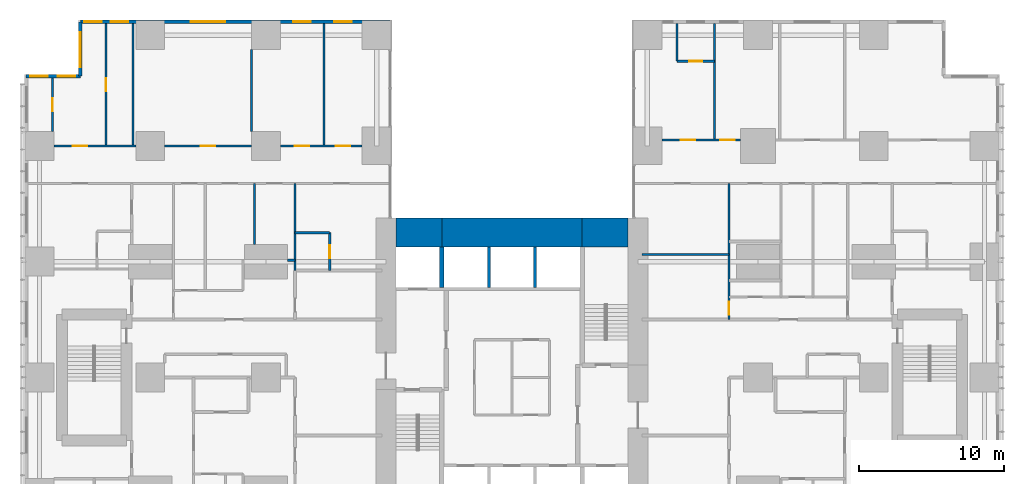
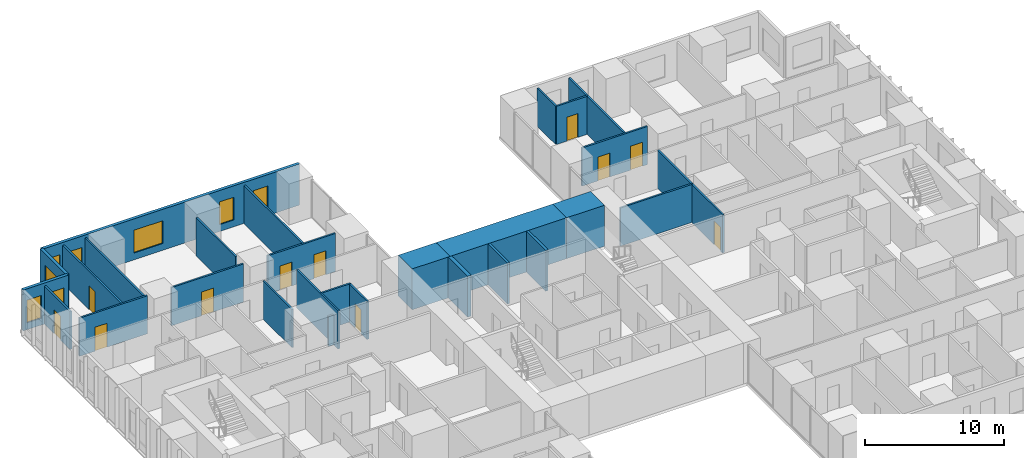
# One storey, part 17 of 20: 28 walls, 11 doors, 8 windows, 19 openings.
"""IFC4 building model written with IfcOpenShell, lengths in metres."""

from ifc_helpers import new_model, si_unit, direction, frame, frame_2d, origin, place, context, subcontext, project, spatial, rectangle, extrude, material, layer, layer_set, type_object, element, fill, save


model = new_model("IFC4")

# Units and contexts
model_context = context("Model", 3, precision=1e-05, world=origin(), true_north=direction((0.0, 1.0)))
body_context = subcontext(model_context, "Body", "Model", "MODEL_VIEW")
ifc_project = project(units=[si_unit("LENGTHUNIT", "METRE"), si_unit("AREAUNIT", "SQUARE_METRE"), si_unit("VOLUMEUNIT", "CUBIC_METRE"), si_unit("PLANEANGLEUNIT", "RADIAN"), si_unit("MASSUNIT", "GRAM", prefix="KILO")], contexts=[model_context])

# Site, building, storey
site_placement = place(None, origin())
site = spatial("IfcSite", under=ifc_project, at=site_placement, CompositionType="ELEMENT")
building_placement = place(site_placement, origin())
building = spatial("IfcBuilding", under=site, at=building_placement, Name="Cleftline Residences", CompositionType="ELEMENT")
storey_placement = place(building_placement, frame((0.0, 0.0, 72.800048828125)))
storey = spatial("IfcBuildingStorey", under=building, at=storey_placement, Name="L18", CompositionType="ELEMENT", Elevation=72.800048828125)

# Walls
ifc_material_1 = material(Name="Concrete B70", Category="concrete")
ifc_layer_1 = layer(ifc_material_1, 2.0)
ifc_layer_set_1 = layer_set([ifc_layer_1], Name="CORE WALL 2000")
wall_type_1 = type_object("IfcWallType", Name="CORE WALL 2000", PredefinedType="SHEAR", material=ifc_layer_set_1)
wall_1_placement = place(storey_placement, frame((25.0, 34.0, 0.0), z_axis=(0.0, 0.0, 1.0), x_axis=(1.0, 0.0, 0.0)))
element("IfcWall", 1, at=wall_1_placement, inside=storey, type_object=wall_type_1, Name="Core wall N1", PredefinedType="SHEAR", context=body_context, shape_type="SweptSolid", body=[
    extrude(rectangle(XDim=3.14990234375, YDim=2.0, at=frame_2d((1.574951171875, 0.0))), origin(), (0.0, 0.0, 1.0), 3.599853515625),
])
wall_2_placement = place(storey_placement, frame((28.14990234375, 34.0, 0.0), z_axis=(0.0, 0.0, 1.0), x_axis=(1.0, 0.0, 0.0)))
element("IfcWall", 2, at=wall_2_placement, inside=storey, type_object=wall_type_1, Name="Core wall N2", PredefinedType="SHEAR", context=body_context, shape_type="SweptSolid", body=[
    extrude(rectangle(XDim=9.7001953125, YDim=2.0, at=frame_2d((4.85009765625, 0.0))), origin(), (0.0, 0.0, 1.0), 3.599853515625),
])
wall_3_placement = place(storey_placement, frame((37.85009765625, 34.0, 0.0), z_axis=(0.0, 0.0, 1.0), x_axis=(1.0, 0.0, 0.0)))
element("IfcWall", 3, at=wall_3_placement, inside=storey, type_object=wall_type_1, Name="Core wall N3", PredefinedType="SHEAR", context=body_context, shape_type="SweptSolid", body=[
    extrude(rectangle(XDim=3.14990234375, YDim=2.0, at=frame_2d((1.574951171875, 0.0))), origin(), (0.0, 0.0, 1.0), 3.599853515625),
])
ifc_material_2 = material(Name="Concrete B70", Category="concrete")
ifc_layer_2 = layer(ifc_material_2, 0.300048828125)
ifc_layer_set_2 = layer_set([ifc_layer_2], Name="CORE WALL 300")
wall_type_2 = type_object("IfcWallType", Name="CORE WALL 300", PredefinedType="SHEAR", material=ifc_layer_set_2)
wall_4_placement = place(storey_placement, frame((28.14990234375, 30.199951171875, 0.0), z_axis=(0.0, 0.0, 1.0), x_axis=(0.0, 1.0, 0.0)))
element("IfcWall", 4, at=wall_4_placement, inside=storey, type_object=wall_type_2, Name="Lift shaft wall", PredefinedType="SHEAR", context=body_context, shape_type="SweptSolid", body=[
    extrude(rectangle(XDim=2.800048828125, YDim=0.300048828125, at=frame_2d((1.39990234375, 0.0))), origin(), (0.0, 0.0, 1.0), 3.599853515625),
])

# Wall, openings, windows
ifc_material_3 = material(Name="Rendered reinforced concrete blockwork", Category="masonry")
ifc_layer_3 = layer(ifc_material_3, 0.25)
ifc_layer_set_3 = layer_set([ifc_layer_3], Name="EXTERNAL WALL 250")
wall_type_3 = type_object("IfcWallType", Name="EXTERNAL WALL 250", PredefinedType="SOLIDWALL", material=ifc_layer_set_3)
wall_5_placement = place(storey_placement, frame((24.574951171875, 48.574951171875, 0.0), z_axis=(0.0, 0.0, 1.0), x_axis=(-1.0, 0.0, 0.0)))
wall_5 = element("IfcWall", 5, at=wall_5_placement, inside=storey, type_object=wall_type_3, Name="External wall", PredefinedType="SOLIDWALL", context=body_context, shape_type="SweptSolid", body=[
    extrude(rectangle(XDim=21.39990234375, YDim=0.25, at=frame_2d((10.699951171875, 0.0))), origin(), (0.0, 0.0, 1.0), 3.599853515625),
])
opening_1_placement = place(wall_5_placement, frame((2.64990234375, 0.0, 0.60009765625)))
opening_1 = element("IfcOpeningElement", 6, at=opening_1_placement, cuts=wall_5, Name="Opening W8", PredefinedType="OPENING", context=body_context, shape_type="SweptSolid", body=[
    extrude(rectangle(XDim=1.199951171875, YDim=2.0, at=frame_2d((0.60009765625, 1.0))), frame((0.0, 0.135009765625, 0.0), z_axis=(0.0, -1.0, 0.0), x_axis=(1.0, 0.0, 0.0)), (0.0, 0.0, 1.0), 0.27001953125),
])
opening_2_placement = place(wall_5_placement, frame((5.47509765625, 0.0, 0.60009765625)))
opening_2 = element("IfcOpeningElement", 7, at=opening_2_placement, cuts=wall_5, Name="Opening W8", PredefinedType="OPENING", context=body_context, shape_type="SweptSolid", body=[
    extrude(rectangle(XDim=1.199951171875, YDim=2.0, at=frame_2d((0.60009765625, 1.0))), frame((0.0, 0.135009765625, 0.0), z_axis=(0.0, -1.0, 0.0), x_axis=(1.0, 0.0, 0.0)), (0.0, 0.0, 1.0), 0.27001953125),
])
opening_3_placement = place(wall_5_placement, frame((11.375, 0.0, 0.60009765625)))
opening_3 = element("IfcOpeningElement", 8, at=opening_3_placement, cuts=wall_5, Name="Opening W6", PredefinedType="OPENING", context=body_context, shape_type="SweptSolid", body=[
    extrude(rectangle(XDim=2.39990234375, YDim=2.0, at=frame_2d((1.199951171875, 1.0))), frame((0.0, 0.135009765625, 0.0), z_axis=(0.0, -1.0, 0.0), x_axis=(1.0, 0.0, 0.0)), (0.0, 0.0, 1.0), 0.27001953125),
])
opening_4_placement = place(wall_5_placement, frame((18.10009765625, 0.0, 0.60009765625)))
opening_4 = element("IfcOpeningElement", 9, at=opening_4_placement, cuts=wall_5, Name="Opening W8", PredefinedType="OPENING", context=body_context, shape_type="SweptSolid", body=[
    extrude(rectangle(XDim=1.199951171875, YDim=2.0, at=frame_2d((0.60009765625, 1.0))), frame((0.0, 0.135009765625, 0.0), z_axis=(0.0, -1.0, 0.0), x_axis=(1.0, 0.0, 0.0)), (0.0, 0.0, 1.0), 0.27001953125),
])
opening_5_placement = place(wall_5_placement, frame((19.925048828125, 0.0, 0.60009765625)))
opening_5 = element("IfcOpeningElement", 10, at=opening_5_placement, cuts=wall_5, Name="Opening W8", PredefinedType="OPENING", context=body_context, shape_type="SweptSolid", body=[
    extrude(rectangle(XDim=1.199951171875, YDim=2.0, at=frame_2d((0.60009765625, 1.0))), frame((0.0, 0.135009765625, 0.0), z_axis=(0.0, -1.0, 0.0), x_axis=(1.0, 0.0, 0.0)), (0.0, 0.0, 1.0), 0.27001953125),
])
ifc_material_4 = material(Name="Aluminium frame, clear double glazing", Category="aluminium")
window_type_1 = type_object("IfcWindowType", Name="WINDOW 1200X2000", PartitioningType="DOUBLE_PANEL_VERTICAL", PredefinedType="WINDOW", material=ifc_material_4)
window_1_placement = place(opening_1_placement, origin())
window_1 = element("IfcWindow", 11, at=window_1_placement, inside=storey, type_object=window_type_1, Name="Window", OverallHeight=2.0, OverallWidth=1.199951171875, PartitioningType="SINGLE_PANEL", PredefinedType="WINDOW", context=body_context, shape_type="SweptSolid", body=[
    extrude(rectangle(XDim=1.199951171875, YDim=2.0, at=frame_2d((0.60009765625, 1.0))), frame((0.0, 0.030029296875, 0.0), z_axis=(0.0, -1.0, 0.0), x_axis=(1.0, 0.0, 0.0)), (0.0, 0.0, 1.0), 0.06005859375),
])
fill(opening_1, window_1)
window_2_placement = place(opening_2_placement, origin())
window_2 = element("IfcWindow", 12, at=window_2_placement, inside=storey, type_object=window_type_1, Name="Window", OverallHeight=2.0, OverallWidth=1.199951171875, PartitioningType="SINGLE_PANEL", PredefinedType="WINDOW", context=body_context, shape_type="SweptSolid", body=[
    extrude(rectangle(XDim=1.199951171875, YDim=2.0, at=frame_2d((0.60009765625, 1.0))), frame((0.0, 0.030029296875, 0.0), z_axis=(0.0, -1.0, 0.0), x_axis=(1.0, 0.0, 0.0)), (0.0, 0.0, 1.0), 0.06005859375),
])
fill(opening_2, window_2)
window_3_placement = place(opening_4_placement, origin())
window_3 = element("IfcWindow", 13, at=window_3_placement, inside=storey, type_object=window_type_1, Name="Window", OverallHeight=2.0, OverallWidth=1.199951171875, PartitioningType="SINGLE_PANEL", PredefinedType="WINDOW", context=body_context, shape_type="SweptSolid", body=[
    extrude(rectangle(XDim=1.199951171875, YDim=2.0, at=frame_2d((0.60009765625, 1.0))), frame((0.0, 0.030029296875, 0.0), z_axis=(0.0, -1.0, 0.0), x_axis=(1.0, 0.0, 0.0)), (0.0, 0.0, 1.0), 0.06005859375),
])
fill(opening_4, window_3)
window_4_placement = place(opening_5_placement, origin())
window_4 = element("IfcWindow", 14, at=window_4_placement, inside=storey, type_object=window_type_1, Name="Window", OverallHeight=2.0, OverallWidth=1.199951171875, PartitioningType="SINGLE_PANEL", PredefinedType="WINDOW", context=body_context, shape_type="SweptSolid", body=[
    extrude(rectangle(XDim=1.199951171875, YDim=2.0, at=frame_2d((0.60009765625, 1.0))), frame((0.0, 0.030029296875, 0.0), z_axis=(0.0, -1.0, 0.0), x_axis=(1.0, 0.0, 0.0)), (0.0, 0.0, 1.0), 0.06005859375),
])
fill(opening_5, window_4)
ifc_material_5 = material(Name="Aluminium frame, clear double glazing", Category="aluminium")
window_type_2 = type_object("IfcWindowType", Name="WINDOW 2400X2000", PartitioningType="DOUBLE_PANEL_VERTICAL", PredefinedType="WINDOW", material=ifc_material_5)
window_5_placement = place(opening_3_placement, origin())
window_5 = element("IfcWindow", 15, at=window_5_placement, inside=storey, type_object=window_type_2, Name="Window", OverallHeight=2.0, OverallWidth=2.39990234375, PartitioningType="SINGLE_PANEL", PredefinedType="WINDOW", context=body_context, shape_type="SweptSolid", body=[
    extrude(rectangle(XDim=2.39990234375, YDim=2.0, at=frame_2d((1.199951171875, 1.0))), frame((0.0, 0.030029296875, 0.0), z_axis=(0.0, -1.0, 0.0), x_axis=(1.0, 0.0, 0.0)), (0.0, 0.0, 1.0), 0.06005859375),
])
fill(opening_3, window_5)

# Wall, opening, window
wall_6_placement = place(storey_placement, frame((3.175048828125, 48.574951171875, 0.0), z_axis=(0.0, 0.0, 1.0), x_axis=(0.0, -1.0, 0.0)))
wall_6 = element("IfcWall", 16, at=wall_6_placement, inside=storey, type_object=wall_type_3, Name="External wall", PredefinedType="SOLIDWALL", context=body_context, shape_type="SweptSolid", body=[
    extrude(rectangle(XDim=3.75, YDim=0.25, at=frame_2d((1.875, 0.0))), origin(), (0.0, 0.0, 1.0), 3.599853515625),
])
opening_6_placement = place(wall_6_placement, frame((0.737548828125, 0.0, 0.60009765625)))
opening_6 = element("IfcOpeningElement", 17, at=opening_6_placement, cuts=wall_6, Name="Opening W6", PredefinedType="OPENING", context=body_context, shape_type="SweptSolid", body=[
    extrude(rectangle(XDim=2.39990234375, YDim=2.0, at=frame_2d((1.199951171875, 1.0))), frame((0.0, 0.135009765625, 0.0), z_axis=(0.0, -1.0, 0.0), x_axis=(1.0, 0.0, 0.0)), (0.0, 0.0, 1.0), 0.27001953125),
])
window_6_placement = place(opening_6_placement, origin())
window_6 = element("IfcWindow", 18, at=window_6_placement, inside=storey, type_object=window_type_2, Name="Window", OverallHeight=2.0, OverallWidth=2.39990234375, PartitioningType="SINGLE_PANEL", PredefinedType="WINDOW", context=body_context, shape_type="SweptSolid", body=[
    extrude(rectangle(XDim=2.39990234375, YDim=2.0, at=frame_2d((1.199951171875, 1.0))), frame((0.0, 0.030029296875, 0.0), z_axis=(0.0, -1.0, 0.0), x_axis=(1.0, 0.0, 0.0)), (0.0, 0.0, 1.0), 0.06005859375),
])
fill(opening_6, window_6)

# Wall, openings, windows
wall_7_placement = place(storey_placement, frame((3.175048828125, 44.824951171875, 0.0), z_axis=(0.0, 0.0, 1.0), x_axis=(-1.0, 0.0, 0.0)))
wall_7 = element("IfcWall", 19, at=wall_7_placement, inside=storey, type_object=wall_type_3, Name="External wall", PredefinedType="SOLIDWALL", context=body_context, shape_type="SweptSolid", body=[
    extrude(rectangle(XDim=3.75, YDim=0.25, at=frame_2d((1.875, 0.0))), origin(), (0.0, 0.0, 1.0), 3.599853515625),
])
opening_7_placement = place(wall_7_placement, frame((0.362548828125, 0.0, 0.60009765625)))
opening_7 = element("IfcOpeningElement", 20, at=opening_7_placement, cuts=wall_7, Name="Opening W8", PredefinedType="OPENING", context=body_context, shape_type="SweptSolid", body=[
    extrude(rectangle(XDim=1.199951171875, YDim=2.0, at=frame_2d((0.60009765625, 1.0))), frame((0.0, 0.135009765625, 0.0), z_axis=(0.0, -1.0, 0.0), x_axis=(1.0, 0.0, 0.0)), (0.0, 0.0, 1.0), 0.27001953125),
])
opening_8_placement = place(wall_7_placement, frame((2.25, 0.0, 0.60009765625)))
opening_8 = element("IfcOpeningElement", 21, at=opening_8_placement, cuts=wall_7, Name="Opening W8", PredefinedType="OPENING", context=body_context, shape_type="SweptSolid", body=[
    extrude(rectangle(XDim=1.199951171875, YDim=2.0, at=frame_2d((0.60009765625, 1.0))), frame((0.0, 0.135009765625, 0.0), z_axis=(0.0, -1.0, 0.0), x_axis=(1.0, 0.0, 0.0)), (0.0, 0.0, 1.0), 0.27001953125),
])
window_7_placement = place(opening_7_placement, origin())
window_7 = element("IfcWindow", 22, at=window_7_placement, inside=storey, type_object=window_type_1, Name="Window", OverallHeight=2.0, OverallWidth=1.199951171875, PartitioningType="SINGLE_PANEL", PredefinedType="WINDOW", context=body_context, shape_type="SweptSolid", body=[
    extrude(rectangle(XDim=1.199951171875, YDim=2.0, at=frame_2d((0.60009765625, 1.0))), frame((0.0, 0.030029296875, 0.0), z_axis=(0.0, -1.0, 0.0), x_axis=(1.0, 0.0, 0.0)), (0.0, 0.0, 1.0), 0.06005859375),
])
fill(opening_7, window_7)
window_8_placement = place(opening_8_placement, origin())
window_8 = element("IfcWindow", 23, at=window_8_placement, inside=storey, type_object=window_type_1, Name="Window", OverallHeight=2.0, OverallWidth=1.199951171875, PartitioningType="SINGLE_PANEL", PredefinedType="WINDOW", context=body_context, shape_type="SweptSolid", body=[
    extrude(rectangle(XDim=1.199951171875, YDim=2.0, at=frame_2d((0.60009765625, 1.0))), frame((0.0, 0.030029296875, 0.0), z_axis=(0.0, -1.0, 0.0), x_axis=(1.0, 0.0, 0.0)), (0.0, 0.0, 1.0), 0.06005859375),
])
fill(opening_8, window_8)

# Walls
ifc_material_6 = material(Name="Gypsum board on steel studs", Category="steel")
ifc_layer_4 = layer(ifc_material_6, 0.14990234375)
ifc_layer_set_4 = layer_set([ifc_layer_4], Name="PARTITION 150")
wall_type_4 = type_object("IfcWallType", Name="PARTITION 150", PredefinedType="PARTITIONING", material=ifc_layer_set_4)
wall_8_placement = place(storey_placement, frame((17.5, 32.10009765625, 0.0), z_axis=(0.0, 0.0, 1.0), x_axis=(1.0, 0.0, 0.0)))
element("IfcWall", 24, at=wall_8_placement, inside=storey, type_object=wall_type_4, Name="Partition", PredefinedType="PARTITIONING", context=body_context, shape_type="SweptSolid", body=[
    extrude(rectangle(XDim=0.5, YDim=0.14990234375, at=frame_2d((0.25, 0.0))), origin(), (0.0, 0.0, 1.0), 2.634033203125),
])
wall_9_placement = place(storey_placement, frame((42.0, 32.5, 0.0), z_axis=(0.0, 0.0, 1.0), x_axis=(1.0, 0.0, 0.0)))
element("IfcWall", 25, at=wall_9_placement, inside=storey, type_object=wall_type_4, Name="Partition", PredefinedType="PARTITIONING", context=body_context, shape_type="SweptSolid", body=[
    extrude(rectangle(XDim=6.0, YDim=0.14990234375, at=frame_2d((3.0, 0.0))), origin(), (0.0, 0.0, 1.0), 3.349853515625),
])
wall_10_placement = place(storey_placement, frame((18.0, 34.0, 0.0), z_axis=(0.0, 0.0, 1.0), x_axis=(1.0, 0.0, 0.0)))
element("IfcWall", 26, at=wall_10_placement, inside=storey, type_object=wall_type_4, Name="Partition", PredefinedType="PARTITIONING", context=body_context, shape_type="SweptSolid", body=[
    extrude(rectangle(XDim=2.39990234375, YDim=0.14990234375, at=frame_2d((1.199951171875, 0.0))), origin(), (0.0, 0.0, 1.0), 3.349853515625),
])

# Wall, opening, door
wall_11_placement = place(storey_placement, frame((1.35009765625, 40.0, 0.0), z_axis=(0.0, 0.0, 1.0), x_axis=(1.0, 0.0, 0.0)))
wall_11 = element("IfcWall", 27, at=wall_11_placement, inside=storey, type_object=wall_type_4, Name="Partition", PredefinedType="PARTITIONING", context=body_context, shape_type="SweptSolid", body=[
    extrude(rectangle(XDim=5.64990234375, YDim=0.14990234375, at=frame_2d((2.824951171875, 0.0))), origin(), (0.0, 0.0, 1.0), 3.349853515625),
])
opening_9_placement = place(wall_11_placement, frame((1.300048828125, 0.0, 0.0)))
opening_9 = element("IfcOpeningElement", 28, at=opening_9_placement, cuts=wall_11, Name="Opening D2", PredefinedType="OPENING", context=body_context, shape_type="SweptSolid", body=[
    extrude(rectangle(XDim=1.0, YDim=2.10009765625, at=frame_2d((0.5, 1.050048828125))), frame((0.0, 0.0849609375, 0.0), z_axis=(0.0, -1.0, 0.0), x_axis=(1.0, 0.0, 0.0)), (0.0, 0.0, 1.0), 0.169921875),
])
ifc_material_7 = material(Name="Timber veneer on solid core", Category="wood")
door_type_1 = type_object("IfcDoorType", Name="DOOR 1000X2100", OperationType="SINGLE_SWING_LEFT", PredefinedType="DOOR", material=ifc_material_7)
door_1_placement = place(opening_9_placement, origin())
door_1 = element("IfcDoor", 29, at=door_1_placement, inside=storey, type_object=door_type_1, Name="Door to bedroom 2", OperationType="SINGLE_SWING_RIGHT", OverallHeight=2.10009765625, OverallWidth=1.0, PredefinedType="DOOR", context=body_context, shape_type="SweptSolid", body=[
    extrude(rectangle(XDim=1.0, YDim=2.10009765625, at=frame_2d((0.5, 1.050048828125))), frame((0.0, 0.02490234375, 0.0), z_axis=(0.0, -1.0, 0.0), x_axis=(1.0, 0.0, 0.0)), (0.0, 0.0, 1.0), 0.050048828125),
])
fill(opening_9, door_1)

wall_12_placement = place(storey_placement, frame((9.0, 40.0, 0.0), z_axis=(0.0, 0.0, 1.0), x_axis=(1.0, 0.0, 0.0)))
wall_12 = element("IfcWall", 30, at=wall_12_placement, inside=storey, type_object=wall_type_4, Name="Partition", PredefinedType="PARTITIONING", context=body_context, shape_type="SweptSolid", body=[
    extrude(rectangle(XDim=6.0, YDim=0.14990234375, at=frame_2d((3.0, 0.0))), origin(), (0.0, 0.0, 1.0), 3.349853515625),
])
opening_10_placement = place(wall_12_placement, frame((2.5, 0.0, 0.0)))
opening_10 = element("IfcOpeningElement", 31, at=opening_10_placement, cuts=wall_12, Name="Opening D2", PredefinedType="OPENING", context=body_context, shape_type="SweptSolid", body=[
    extrude(rectangle(XDim=1.0, YDim=2.10009765625, at=frame_2d((0.5, 1.050048828125))), frame((0.0, 0.0849609375, 0.0), z_axis=(0.0, -1.0, 0.0), x_axis=(1.0, 0.0, 0.0)), (0.0, 0.0, 1.0), 0.169921875),
])
door_2_placement = place(opening_10_placement, origin())
door_2 = element("IfcDoor", 32, at=door_2_placement, inside=storey, type_object=door_type_1, Name="Door to living room", OperationType="SINGLE_SWING_LEFT", OverallHeight=2.10009765625, OverallWidth=1.0, PredefinedType="DOOR", context=body_context, shape_type="SweptSolid", body=[
    extrude(rectangle(XDim=1.0, YDim=2.10009765625, at=frame_2d((0.5, 1.050048828125))), frame((0.0, 0.02490234375, 0.0), z_axis=(0.0, -1.0, 0.0), x_axis=(1.0, 0.0, 0.0)), (0.0, 0.0, 1.0), 0.050048828125),
])
fill(opening_10, door_2)

# Wall, openings, doors
wall_13_placement = place(storey_placement, frame((17.0, 40.0, 0.0), z_axis=(0.0, 0.0, 1.0), x_axis=(1.0, 0.0, 0.0)))
wall_13 = element("IfcWall", 33, at=wall_13_placement, inside=storey, type_object=wall_type_4, Name="Partition", PredefinedType="PARTITIONING", context=body_context, shape_type="SweptSolid", body=[
    extrude(rectangle(XDim=5.64990234375, YDim=0.14990234375, at=frame_2d((2.824951171875, 0.0))), origin(), (0.0, 0.0, 1.0), 3.349853515625),
])
opening_11_placement = place(wall_13_placement, frame((1.0, 0.0, 0.0)))
opening_11 = element("IfcOpeningElement", 34, at=opening_11_placement, cuts=wall_13, Name="Opening D2", PredefinedType="OPENING", context=body_context, shape_type="SweptSolid", body=[
    extrude(rectangle(XDim=1.0, YDim=2.10009765625, at=frame_2d((0.5, 1.050048828125))), frame((0.0, 0.0849609375, 0.0), z_axis=(0.0, -1.0, 0.0), x_axis=(1.0, 0.0, 0.0)), (0.0, 0.0, 1.0), 0.169921875),
])
opening_12_placement = place(wall_13_placement, frame((3.824951171875, 0.0, 0.0)))
opening_12 = element("IfcOpeningElement", 35, at=opening_12_placement, cuts=wall_13, Name="Opening D2", PredefinedType="OPENING", context=body_context, shape_type="SweptSolid", body=[
    extrude(rectangle(XDim=1.0, YDim=2.10009765625, at=frame_2d((0.5, 1.050048828125))), frame((0.0, 0.0849609375, 0.0), z_axis=(0.0, -1.0, 0.0), x_axis=(1.0, 0.0, 0.0)), (0.0, 0.0, 1.0), 0.169921875),
])
door_3_placement = place(opening_11_placement, origin())
door_3 = element("IfcDoor", 36, at=door_3_placement, inside=storey, type_object=door_type_1, Name="Door to dining room", OperationType="SINGLE_SWING_RIGHT", OverallHeight=2.10009765625, OverallWidth=1.0, PredefinedType="DOOR", context=body_context, shape_type="SweptSolid", body=[
    extrude(rectangle(XDim=1.0, YDim=2.10009765625, at=frame_2d((0.5, 1.050048828125))), frame((0.0, 0.02490234375, 0.0), z_axis=(0.0, -1.0, 0.0), x_axis=(1.0, 0.0, 0.0)), (0.0, 0.0, 1.0), 0.050048828125),
])
fill(opening_11, door_3)
door_4_placement = place(opening_12_placement, origin())
door_4 = element("IfcDoor", 37, at=door_4_placement, inside=storey, type_object=door_type_1, Name="Door to show kitchen", OperationType="SINGLE_SWING_LEFT", OverallHeight=2.10009765625, OverallWidth=1.0, PredefinedType="DOOR", context=body_context, shape_type="SweptSolid", body=[
    extrude(rectangle(XDim=1.0, YDim=2.10009765625, at=frame_2d((0.5, 1.050048828125))), frame((0.0, 0.02490234375, 0.0), z_axis=(0.0, -1.0, 0.0), x_axis=(1.0, 0.0, 0.0)), (0.0, 0.0, 1.0), 0.050048828125),
])
fill(opening_12, door_4)

wall_14_placement = place(storey_placement, frame((43.35009765625, 40.39990234375, 0.0), z_axis=(0.0, 0.0, 1.0), x_axis=(1.0, 0.0, 0.0)))
wall_14 = element("IfcWall", 38, at=wall_14_placement, inside=storey, type_object=wall_type_4, Name="Partition", PredefinedType="PARTITIONING", context=body_context, shape_type="SweptSolid", body=[
    extrude(rectangle(XDim=5.449951171875, YDim=0.14990234375, at=frame_2d((2.72509765625, 0.0))), origin(), (0.0, 0.0, 1.0), 3.349853515625),
])
opening_13_placement = place(wall_14_placement, frame((4.050048828125, 0.0, 0.0)))
opening_13 = element("IfcOpeningElement", 39, at=opening_13_placement, cuts=wall_14, Name="Opening D2", PredefinedType="OPENING", context=body_context, shape_type="SweptSolid", body=[
    extrude(rectangle(XDim=1.0, YDim=2.10009765625, at=frame_2d((0.5, 1.050048828125))), frame((0.0, 0.0849609375, 0.0), z_axis=(0.0, -1.0, 0.0), x_axis=(1.0, 0.0, 0.0)), (0.0, 0.0, 1.0), 0.169921875),
])
opening_14_placement = place(wall_14_placement, frame((1.324951171875, 0.0, 0.0)))
opening_14 = element("IfcOpeningElement", 40, at=opening_14_placement, cuts=wall_14, Name="Opening D2", PredefinedType="OPENING", context=body_context, shape_type="SweptSolid", body=[
    extrude(rectangle(XDim=1.0, YDim=2.10009765625, at=frame_2d((0.5, 1.050048828125))), frame((0.0, 0.0849609375, 0.0), z_axis=(0.0, -1.0, 0.0), x_axis=(1.0, 0.0, 0.0)), (0.0, 0.0, 1.0), 0.169921875),
])
door_5_placement = place(opening_13_placement, origin())
door_5 = element("IfcDoor", 41, at=door_5_placement, inside=storey, type_object=door_type_1, Name="Door to show kitchen", OperationType="SINGLE_SWING_LEFT", OverallHeight=2.10009765625, OverallWidth=1.0, PredefinedType="DOOR", context=body_context, shape_type="SweptSolid", body=[
    extrude(rectangle(XDim=1.0, YDim=2.10009765625, at=frame_2d((0.5, 1.050048828125))), frame((0.0, 0.02490234375, 0.0), z_axis=(0.0, -1.0, 0.0), x_axis=(1.0, 0.0, 0.0)), (0.0, 0.0, 1.0), 0.050048828125),
])
fill(opening_13, door_5)
door_6_placement = place(opening_14_placement, origin())
door_6 = element("IfcDoor", 42, at=door_6_placement, inside=storey, type_object=door_type_1, Name="Door to bedroom 3", OperationType="SINGLE_SWING_RIGHT", OverallHeight=2.10009765625, OverallWidth=1.0, PredefinedType="DOOR", context=body_context, shape_type="SweptSolid", body=[
    extrude(rectangle(XDim=1.0, YDim=2.10009765625, at=frame_2d((0.5, 1.050048828125))), frame((0.0, 0.02490234375, 0.0), z_axis=(0.0, -1.0, 0.0), x_axis=(1.0, 0.0, 0.0)), (0.0, 0.0, 1.0), 0.050048828125),
])
fill(opening_14, door_6)

# Wall, opening, door
wall_15_placement = place(storey_placement, frame((44.39990234375, 45.85009765625, 0.0), z_axis=(0.0, 0.0, 1.0), x_axis=(1.0, 0.0, 0.0)))
wall_15 = element("IfcWall", 43, at=wall_15_placement, inside=storey, type_object=wall_type_4, Name="Partition", PredefinedType="PARTITIONING", context=body_context, shape_type="SweptSolid", body=[
    extrude(rectangle(XDim=2.60009765625, YDim=0.14990234375, at=frame_2d((1.300048828125, 0.0))), origin(), (0.0, 0.0, 1.0), 3.349853515625),
])
opening_15_placement = place(wall_15_placement, frame((0.85009765625, 0.0, 0.0)))
opening_15 = element("IfcOpeningElement", 44, at=opening_15_placement, cuts=wall_15, Name="Opening D1", PredefinedType="OPENING", context=body_context, shape_type="SweptSolid", body=[
    extrude(rectangle(XDim=0.89990234375, YDim=2.10009765625, at=frame_2d((0.449951171875, 1.050048828125))), frame((0.0, 0.0849609375, 0.0), z_axis=(0.0, -1.0, 0.0), x_axis=(1.0, 0.0, 0.0)), (0.0, 0.0, 1.0), 0.169921875),
])
ifc_material_8 = material(Name="Timber veneer on solid core", Category="wood")
door_type_2 = type_object("IfcDoorType", Name="DOOR 900X2100", OperationType="SINGLE_SWING_LEFT", PredefinedType="DOOR", material=ifc_material_8)
door_7_placement = place(opening_15_placement, origin())
door_7 = element("IfcDoor", 45, at=door_7_placement, inside=storey, type_object=door_type_2, Name="Door to en-suite bathroom 3", OperationType="SINGLE_SWING_LEFT", OverallHeight=2.10009765625, OverallWidth=0.89990234375, PredefinedType="DOOR", context=body_context, shape_type="SweptSolid", body=[
    extrude(rectangle(XDim=0.89990234375, YDim=2.10009765625, at=frame_2d((0.449951171875, 1.050048828125))), frame((0.0, 0.02490234375, 0.0), z_axis=(0.0, -1.0, 0.0), x_axis=(1.0, 0.0, 0.0)), (0.0, 0.0, 1.0), 0.050048828125),
])
fill(opening_15, door_7)

wall_16_placement = place(storey_placement, frame((1.25, 41.0, 0.0), z_axis=(0.0, 0.0, 1.0), x_axis=(0.0, 1.0, 0.0)))
wall_16 = element("IfcWall", 46, at=wall_16_placement, inside=storey, type_object=wall_type_4, Name="Partition", PredefinedType="PARTITIONING", context=body_context, shape_type="SweptSolid", body=[
    extrude(rectangle(XDim=3.699951171875, YDim=0.14990234375, at=frame_2d((1.85009765625, 0.0))), origin(), (0.0, 0.0, 1.0), 3.349853515625),
])
opening_16_placement = place(wall_16_placement, frame((1.39990234375, 0.0, 0.0)))
opening_16 = element("IfcOpeningElement", 47, at=opening_16_placement, cuts=wall_16, Name="Opening D1", PredefinedType="OPENING", context=body_context, shape_type="SweptSolid", body=[
    extrude(rectangle(XDim=0.89990234375, YDim=2.10009765625, at=frame_2d((0.449951171875, 1.050048828125))), frame((0.0, 0.0849609375, 0.0), z_axis=(0.0, -1.0, 0.0), x_axis=(1.0, 0.0, 0.0)), (0.0, 0.0, 1.0), 0.169921875),
])
door_8_placement = place(opening_16_placement, origin())
door_8 = element("IfcDoor", 48, at=door_8_placement, inside=storey, type_object=door_type_2, Name="Door to walk-in wardrobe", OperationType="SINGLE_SWING_LEFT", OverallHeight=2.10009765625, OverallWidth=0.89990234375, PredefinedType="DOOR", context=body_context, shape_type="SweptSolid", body=[
    extrude(rectangle(XDim=0.89990234375, YDim=2.10009765625, at=frame_2d((0.449951171875, 1.050048828125))), frame((0.0, 0.02490234375, 0.0), z_axis=(0.0, -1.0, 0.0), x_axis=(1.0, 0.0, 0.0)), (0.0, 0.0, 1.0), 0.050048828125),
])
fill(opening_16, door_8)

wall_17_placement = place(storey_placement, frame((4.949951171875, 40.0, 0.0), z_axis=(0.0, 0.0, 1.0), x_axis=(0.0, 1.0, 0.0)))
wall_17 = element("IfcWall", 49, at=wall_17_placement, inside=storey, type_object=wall_type_4, Name="Partition", PredefinedType="PARTITIONING", context=body_context, shape_type="SweptSolid", body=[
    extrude(rectangle(XDim=8.449951171875, YDim=0.14990234375, at=frame_2d((4.22509765625, 0.0))), origin(), (0.0, 0.0, 1.0), 3.349853515625),
])
opening_17_placement = place(wall_17_placement, frame((3.77490234375, 0.0, 0.0)))
opening_17 = element("IfcOpeningElement", 50, at=opening_17_placement, cuts=wall_17, Name="Opening D1", PredefinedType="OPENING", context=body_context, shape_type="SweptSolid", body=[
    extrude(rectangle(XDim=0.89990234375, YDim=2.10009765625, at=frame_2d((0.449951171875, 1.050048828125))), frame((0.0, 0.0849609375, 0.0), z_axis=(0.0, -1.0, 0.0), x_axis=(1.0, 0.0, 0.0)), (0.0, 0.0, 1.0), 0.169921875),
])
door_9_placement = place(opening_17_placement, origin())
door_9 = element("IfcDoor", 51, at=door_9_placement, inside=storey, type_object=door_type_2, Name="Door to en-suite bathroom 2", OperationType="SINGLE_SWING_LEFT", OverallHeight=2.10009765625, OverallWidth=0.89990234375, PredefinedType="DOOR", context=body_context, shape_type="SweptSolid", body=[
    extrude(rectangle(XDim=0.89990234375, YDim=2.10009765625, at=frame_2d((0.449951171875, 1.050048828125))), frame((0.0, 0.02490234375, 0.0), z_axis=(0.0, -1.0, 0.0), x_axis=(1.0, 0.0, 0.0)), (0.0, 0.0, 1.0), 0.050048828125),
])
fill(opening_17, door_9)

# Walls
wall_18_placement = place(storey_placement, frame((6.800048828125, 40.0, 0.0), z_axis=(0.0, 0.0, 1.0), x_axis=(0.0, 1.0, 0.0)))
element("IfcWall", 52, at=wall_18_placement, inside=storey, type_object=wall_type_4, Name="Partition", PredefinedType="PARTITIONING", context=body_context, shape_type="SweptSolid", body=[
    extrude(rectangle(XDim=8.449951171875, YDim=0.14990234375, at=frame_2d((4.22509765625, 0.0))), origin(), (0.0, 0.0, 1.0), 3.349853515625),
])
wall_19_placement = place(storey_placement, frame((15.0, 41.0, 0.0), z_axis=(0.0, 0.0, 1.0), x_axis=(0.0, 1.0, 0.0)))
element("IfcWall", 53, at=wall_19_placement, inside=storey, type_object=wall_type_4, Name="Partition", PredefinedType="PARTITIONING", context=body_context, shape_type="SweptSolid", body=[
    extrude(rectangle(XDim=5.64990234375, YDim=0.14990234375, at=frame_2d((2.824951171875, 0.0))), origin(), (0.0, 0.0, 1.0), 3.349853515625),
])
wall_20_placement = place(storey_placement, frame((15.199951171875, 33.199951171875, 0.0), z_axis=(0.0, 0.0, 1.0), x_axis=(0.0, 1.0, 0.0)))
element("IfcWall", 54, at=wall_20_placement, inside=storey, type_object=wall_type_4, Name="Partition", PredefinedType="PARTITIONING", context=body_context, shape_type="SweptSolid", body=[
    extrude(rectangle(XDim=4.199951171875, YDim=0.14990234375, at=frame_2d((2.10009765625, 0.0))), origin(), (0.0, 0.0, 1.0), 3.349853515625),
])
wall_21_placement = place(storey_placement, frame((18.0, 31.39990234375, 0.0), z_axis=(0.0, 0.0, 1.0), x_axis=(0.0, 1.0, 0.0)))
element("IfcWall", 55, at=wall_21_placement, inside=storey, type_object=wall_type_4, Name="Partition", PredefinedType="PARTITIONING", context=body_context, shape_type="SweptSolid", body=[
    extrude(rectangle(XDim=6.0, YDim=0.14990234375, at=frame_2d((3.0, 0.0))), origin(), (0.0, 0.0, 1.0), 3.349853515625),
])
wall_22_placement = place(storey_placement, frame((20.0, 40.0, 0.0), z_axis=(0.0, 0.0, 1.0), x_axis=(0.0, 1.0, 0.0)))
element("IfcWall", 56, at=wall_22_placement, inside=storey, type_object=wall_type_4, Name="Partition", PredefinedType="PARTITIONING", context=body_context, shape_type="SweptSolid", body=[
    extrude(rectangle(XDim=8.449951171875, YDim=0.14990234375, at=frame_2d((4.22509765625, 0.0))), origin(), (0.0, 0.0, 1.0), 3.349853515625),
])

# Wall, opening, door
wall_23_placement = place(storey_placement, frame((20.39990234375, 31.39990234375, 0.0), z_axis=(0.0, 0.0, 1.0), x_axis=(0.0, 1.0, 0.0)))
wall_23 = element("IfcWall", 57, at=wall_23_placement, inside=storey, type_object=wall_type_4, Name="Partition", PredefinedType="PARTITIONING", context=body_context, shape_type="SweptSolid", body=[
    extrude(rectangle(XDim=2.60009765625, YDim=0.14990234375, at=frame_2d((1.300048828125, 0.0))), origin(), (0.0, 0.0, 1.0), 3.349853515625),
])
opening_18_placement = place(wall_23_placement, frame((0.85009765625, 0.0, 0.0)))
opening_18 = element("IfcOpeningElement", 58, at=opening_18_placement, cuts=wall_23, Name="Opening D1", PredefinedType="OPENING", context=body_context, shape_type="SweptSolid", body=[
    extrude(rectangle(XDim=0.89990234375, YDim=2.10009765625, at=frame_2d((0.449951171875, 1.050048828125))), frame((0.0, 0.0849609375, 0.0), z_axis=(0.0, -1.0, 0.0), x_axis=(1.0, 0.0, 0.0)), (0.0, 0.0, 1.0), 0.169921875),
])
door_10_placement = place(opening_18_placement, origin())
door_10 = element("IfcDoor", 59, at=door_10_placement, inside=storey, type_object=door_type_2, Name="Door to en-suite bathroom 3", OperationType="SINGLE_SWING_LEFT", OverallHeight=2.10009765625, OverallWidth=0.89990234375, PredefinedType="DOOR", context=body_context, shape_type="SweptSolid", body=[
    extrude(rectangle(XDim=0.89990234375, YDim=2.10009765625, at=frame_2d((0.449951171875, 1.050048828125))), frame((0.0, 0.02490234375, 0.0), z_axis=(0.0, -1.0, 0.0), x_axis=(1.0, 0.0, 0.0)), (0.0, 0.0, 1.0), 0.050048828125),
])
fill(opening_18, door_10)

# Walls
wall_24_placement = place(storey_placement, frame((44.39990234375, 45.85009765625, 0.0), z_axis=(0.0, 0.0, 1.0), x_axis=(0.0, 1.0, 0.0)))
element("IfcWall", 60, at=wall_24_placement, inside=storey, type_object=wall_type_4, Name="Partition", PredefinedType="PARTITIONING", context=body_context, shape_type="SweptSolid", body=[
    extrude(rectangle(XDim=2.599853515625, YDim=0.14990234375, at=frame_2d((1.2998046875, 0.0))), origin(), (0.0, 0.0, 1.0), 3.349853515625),
])
wall_25_placement = place(storey_placement, frame((47.0, 40.39990234375, 0.0), z_axis=(0.0, 0.0, 1.0), x_axis=(0.0, 1.0, 0.0)))
element("IfcWall", 61, at=wall_25_placement, inside=storey, type_object=wall_type_4, Name="Partition", PredefinedType="PARTITIONING", context=body_context, shape_type="SweptSolid", body=[
    extrude(rectangle(XDim=8.050048828125, YDim=0.14990234375, at=frame_2d((4.02490234375, 0.0))), origin(), (0.0, 0.0, 1.0), 3.349853515625),
])

# Wall, opening, door
wall_26_placement = place(storey_placement, frame((48.0, 28.0, 0.0), z_axis=(0.0, 0.0, 1.0), x_axis=(0.0, 1.0, 0.0)))
wall_26 = element("IfcWall", 62, at=wall_26_placement, inside=storey, type_object=wall_type_4, Name="Partition", PredefinedType="PARTITIONING", context=body_context, shape_type="SweptSolid", body=[
    extrude(rectangle(XDim=9.39990234375, YDim=0.14990234375, at=frame_2d((4.699951171875, 0.0))), origin(), (0.0, 0.0, 1.0), 3.349853515625),
])
opening_19_placement = place(wall_26_placement, frame((0.324951171875, 0.0, 0.0)))
opening_19 = element("IfcOpeningElement", 63, at=opening_19_placement, cuts=wall_26, Name="Opening D1", PredefinedType="OPENING", context=body_context, shape_type="SweptSolid", body=[
    extrude(rectangle(XDim=0.89990234375, YDim=2.10009765625, at=frame_2d((0.449951171875, 1.050048828125))), frame((0.0, 0.0849609375, 0.0), z_axis=(0.0, -1.0, 0.0), x_axis=(1.0, 0.0, 0.0)), (0.0, 0.0, 1.0), 0.169921875),
])
door_11_placement = place(opening_19_placement, origin())
door_11 = element("IfcDoor", 64, at=door_11_placement, inside=storey, type_object=door_type_2, Name="Door to utility room", OperationType="SINGLE_SWING_RIGHT", OverallHeight=2.10009765625, OverallWidth=0.89990234375, PredefinedType="DOOR", context=body_context, shape_type="SweptSolid", body=[
    extrude(rectangle(XDim=0.89990234375, YDim=2.10009765625, at=frame_2d((0.449951171875, 1.050048828125))), frame((0.0, 0.02490234375, 0.0), z_axis=(0.0, -1.0, 0.0), x_axis=(1.0, 0.0, 0.0)), (0.0, 0.0, 1.0), 0.050048828125),
])
fill(opening_19, door_11)

# Walls
ifc_material_9 = material(Name="Concrete blockwork, fire rated", Category="masonry")
ifc_layer_5 = layer(ifc_material_9, 0.199951171875)
ifc_layer_set_5 = layer_set([ifc_layer_5], Name="SHAFT WALL 200")
wall_type_5 = type_object("IfcWallType", Name="SHAFT WALL 200", PredefinedType="PARTITIONING", material=ifc_layer_set_5)
for number, where, z_axis, x_axis, name in (
    (65, (31.39990234375, 30.199951171875, 0.0), (0.0, 0.0, 1.0), (0.0, 1.0, 0.0), "Lift shaft wall"),
    (66, (34.60009765625, 30.199951171875, 0.0), (0.0, 0.0, 1.0), (0.0, 1.0, 0.0), "Lift shaft wall"),
):
    element("IfcWall", number, at=place(storey_placement, frame(where, z_axis=z_axis, x_axis=x_axis)), inside=storey, type_object=wall_type_5, Name=name, PredefinedType="PARTITIONING", context=body_context, shape_type="SweptSolid", body=[
        extrude(rectangle(XDim=2.800048828125, YDim=0.199951171875, at=frame_2d((1.39990234375, 0.0))), origin(), (0.0, 0.0, 1.0), 3.599853515625),
    ])

save(model, "model.ifc")
